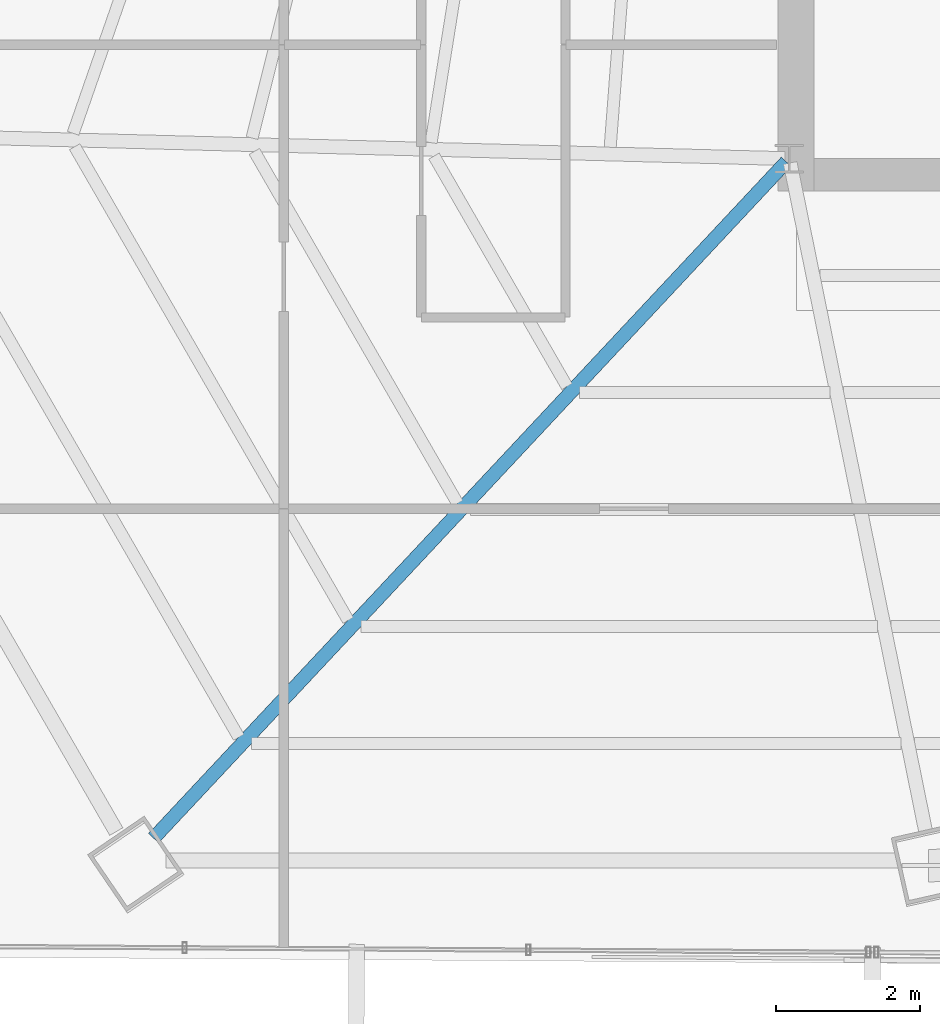
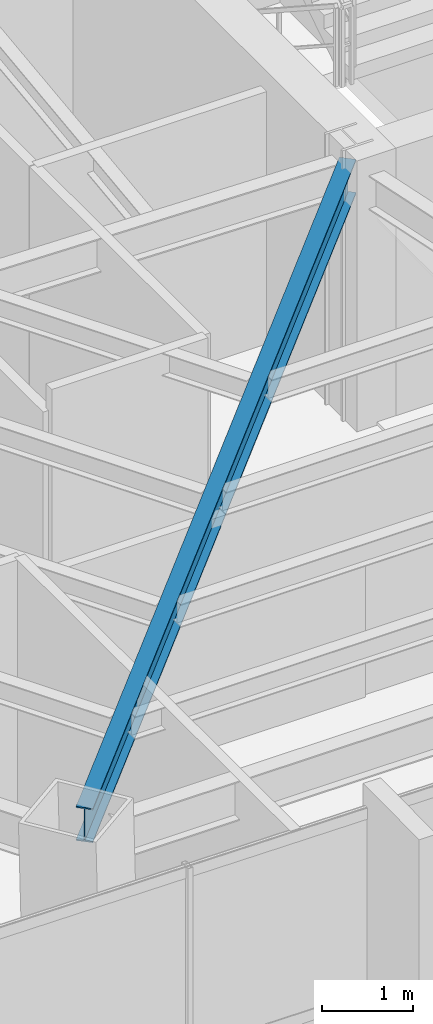
# One storey, part 5 of 41: 1 beam.
"""IFC4 building model written with IfcOpenShell, lengths in metres."""

from ifc_helpers import new_model, si_unit, direction, frame, origin, origin_2d, place, context, subcontext, project, spatial, i_section, extrude, source, transform, mapped, material, material_profile, profile_set, type_object, type_shapes, element, save


model = new_model("IFC4")

# Units and contexts
model_context = context("Model", 3, precision=1e-05, world=origin(), true_north=direction((0.0, 1.0)))
body_context = subcontext(model_context, "Body", "Model", "MODEL_VIEW")
ifc_project = project(units=[si_unit("LENGTHUNIT", "METRE"), si_unit("AREAUNIT", "SQUARE_METRE"), si_unit("VOLUMEUNIT", "CUBIC_METRE"), si_unit("PLANEANGLEUNIT", "RADIAN"), si_unit("MASSUNIT", "GRAM", prefix="KILO")], contexts=[model_context])

# Site, building, storey
site_placement = place(None, origin())
site = spatial("IfcSite", under=ifc_project, at=site_placement, CompositionType="ELEMENT")
building_placement = place(site_placement, origin())
building = spatial("IfcBuilding", under=site, at=building_placement, Name="Caelisora Broadcast Tower", CompositionType="ELEMENT")
storey_placement = place(building_placement, frame((0.0, 0.0, 169.449951171875)))
storey = spatial("IfcBuildingStorey", under=building, at=storey_placement, Name="L44", CompositionType="ELEMENT", Elevation=169.449951171875)

# Beam
ifc_material = material(Name="Steel Grade 350 (AS/NZS 3679.1)", Category="steel")
ifc_material_profile = material_profile(ifc_material, i_section(OverallWidth=0.19091796875, OverallDepth=0.46044921875, WebThickness=0.010009765625, FlangeThickness=0.01611328125, at=origin_2d()), Name="Steel Grade 350 (AS/NZS 3679.1)")
ifc_profile_set = profile_set([ifc_material_profile], Name="Steel Grade 350 (AS/NZS 3679.1)")
beam_type = type_object("IfcBeamType", Name="PG06", PredefinedType="BEAM", material=ifc_profile_set)
shared_shape = source(origin(), body_context, "Body", "SweptSolid", [
    extrude(i_section(OverallWidth=0.19091796875, OverallDepth=0.46044921875, WebThickness=0.010009765625, FlangeThickness=0.01611328125, at=origin_2d()), origin(), (0.0, 0.0, 1.0), 12.828125),
])
type_shapes(beam_type, [shared_shape])
beam_placement = place(storey_placement, frame((30.458984375, 17.356201171875, 3.169921875), z_axis=(-0.68320198202, -0.730229451449, 0.0), x_axis=(0.730229451449, -0.68320198202, 0.0)))
element("IfcBeam", 1, at=beam_placement, inside=storey, type_object=beam_type, Name="L44 beam PG06", PredefinedType="BEAM", context=body_context, shape_type="MappedRepresentation", body=[
    mapped(shared_shape, transform((0.0, 0.0, 0.0), scale=1.0)),
])

save(model, "model.ifc")
